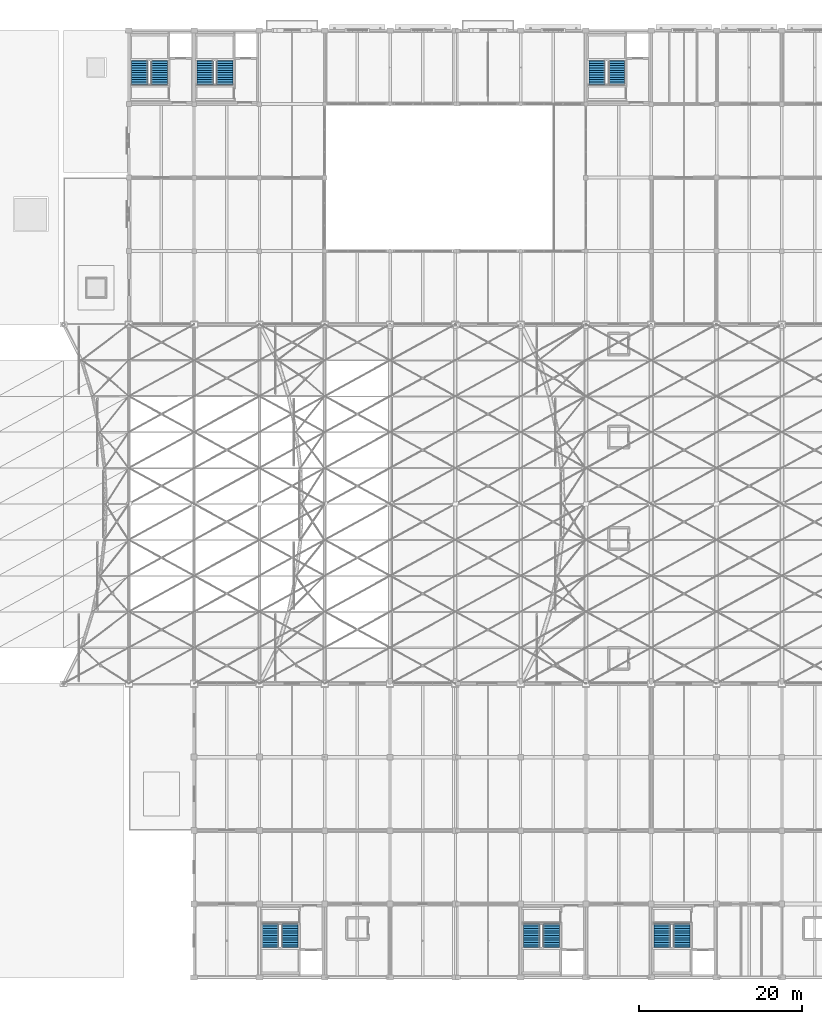
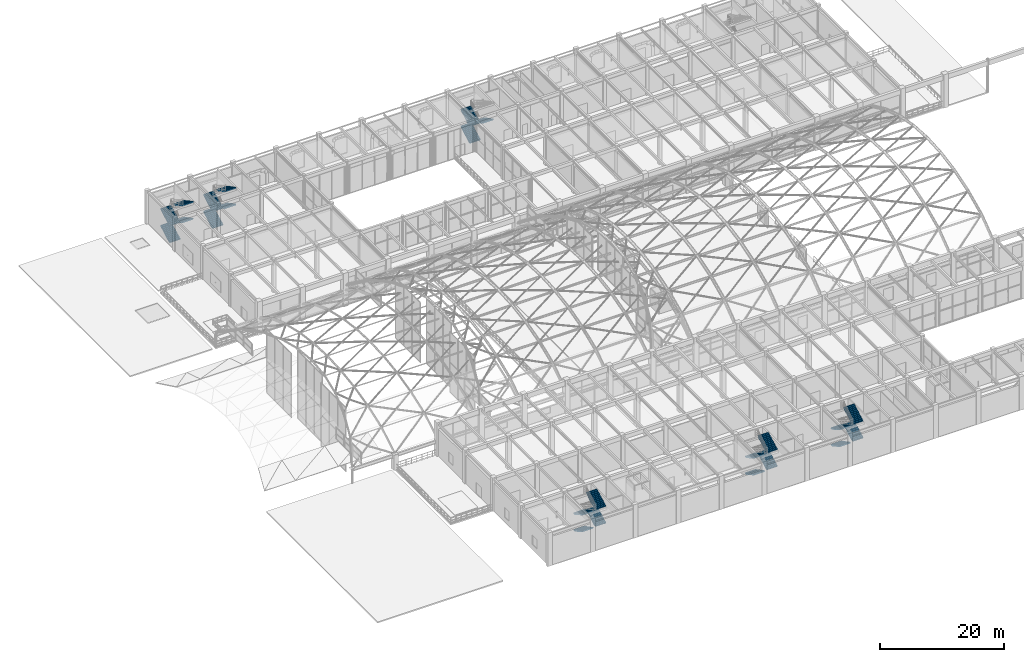
# One storey, part 136 of 163: 23 stair flights, 6 elements without a shape of their own.
"""IFC4 building model written with IfcOpenShell, lengths in metres."""

from ifc_helpers import new_model, si_unit, direction, frame, origin, place, context, subcontext, project, spatial, polyline, outline, extrude, material, type_object, element, aggregate, save


model = new_model("IFC4")

# Units and contexts
model_context = context("Model", 3, precision=1e-05, world=origin(), true_north=direction((0.0, 1.0)))
body_context = subcontext(model_context, "Body", "Model", "MODEL_VIEW")
ifc_project = project(units=[si_unit("LENGTHUNIT", "METRE"), si_unit("AREAUNIT", "SQUARE_METRE"), si_unit("VOLUMEUNIT", "CUBIC_METRE"), si_unit("PLANEANGLEUNIT", "RADIAN"), si_unit("MASSUNIT", "GRAM", prefix="KILO")], contexts=[model_context])

# Site, building, storey
site_placement = place(None, origin())
site = spatial("IfcSite", under=ifc_project, at=site_placement, CompositionType="ELEMENT")
building_placement = place(site_placement, origin())
building = spatial("IfcBuilding", under=site, at=building_placement, Name="Varnabhumi Central Station", CompositionType="ELEMENT")
storey_placement = place(building_placement, frame((0.0, 0.0, 9.60009765625)))
storey = spatial("IfcBuildingStorey", under=building, at=storey_placement, Name="L02", CompositionType="ELEMENT", Elevation=9.60009765625)

# Stair, stair flights
ifc_material = material(Name="Concrete M40", Category="concrete")
stair_type = type_object("IfcStairType", Name="STR-CORE-6600", PredefinedType="DOUBLE_RETURN_STAIR", material=ifc_material)
stair_1_placement = place(storey_placement, origin())
stair_1 = element("IfcStair", 1, at=stair_1_placement, inside=storey, type_object=stair_type, Name="Core Stair ST-N1 (L02)", PredefinedType="DOUBLE_RETURN_STAIR")
stair_flight_type = type_object("IfcStairFlightType", Name="FLT-CORE-6600", PredefinedType="STRAIGHT", material=ifc_material)
stair_flight_1_placement = place(storey_placement, frame((25.35009765625, 109.419921875, 0.0), z_axis=(0.0, 0.0, 1.0), x_axis=(0.0, 1.0, 0.0)))
stair_flight_1 = element("IfcStairFlight", 2, at=stair_flight_1_placement, type_object=stair_flight_type, Name="ST-N1 L02 Flight 1", NumberOfRisers=11, NumberOfTreads=10, PredefinedType="STRAIGHT", RiserHeight=0.15, TreadLength=0.285, context=body_context, shape_type="SweptSolid", body=[
    extrude(outline(polyline([(-0.06005859375, -0.080078125), (-0.06005859375, 0.0), (0.0, 0.0), (0.0, 0.14990234375), (0.284912109375, 0.14990234375), (0.284912109375, 0.300048828125), (0.570068359375, 0.300048828125), (0.570068359375, 0.449951171875), (0.85498046875, 0.449951171875), (0.85498046875, 0.60009765625), (1.139892578125, 0.60009765625), (1.139892578125, 0.75), (1.425048828125, 0.75), (1.425048828125, 0.89990234375), (1.7099609375, 0.89990234375), (1.7099609375, 1.050048828125), (1.9951171875, 1.050048828125), (1.9951171875, 1.199951171875), (2.280029296875, 1.199951171875), (2.280029296875, 1.35009765625), (2.56494140625, 1.35009765625), (2.56494140625, 1.5), (2.85009765625, 1.5), (2.85009765625, 1.64990234375), (2.909912109375, 1.64990234375), (2.909912109375, 1.489990234375), (2.85009765625, 1.3193359375), (0.34326171875, -0.080078125), (-0.06005859375, -0.080078125)])), frame((0.0, 1.0, 0.0), z_axis=(0.0, -1.0, 0.0), x_axis=(1.0, 0.0, 0.0)), (0.0, 0.0, 1.0), 2.0),
])
stair_flight_2_placement = place(storey_placement, frame((27.75, 112.27001953125, 1.64990234375), z_axis=(0.0, 0.0, 1.0), x_axis=(0.0, -1.0, 0.0)))
stair_flight_2 = element("IfcStairFlight", 3, at=stair_flight_2_placement, type_object=stair_flight_type, Name="ST-N1 L02 Flight 2", NumberOfRisers=11, NumberOfTreads=10, PredefinedType="STRAIGHT", RiserHeight=0.15, TreadLength=0.285, context=body_context, shape_type="SweptSolid", body=[
    extrude(outline(polyline([(-0.06005859375, -0.080078125), (-0.06005859375, 0.0), (0.0, 0.0), (0.0, 0.14990234375), (0.284912109375, 0.14990234375), (0.284912109375, 0.300048828125), (0.570068359375, 0.300048828125), (0.570068359375, 0.449951171875), (0.85498046875, 0.449951171875), (0.85498046875, 0.60009765625), (1.139892578125, 0.60009765625), (1.139892578125, 0.75), (1.425048828125, 0.75), (1.425048828125, 0.89990234375), (1.7099609375, 0.89990234375), (1.7099609375, 1.050048828125), (1.9951171875, 1.050048828125), (1.9951171875, 1.199951171875), (2.280029296875, 1.199951171875), (2.280029296875, 1.35009765625), (2.56494140625, 1.35009765625), (2.56494140625, 1.5), (2.85009765625, 1.5), (2.85009765625, 1.64990234375), (2.909912109375, 1.64990234375), (2.909912109375, 1.489990234375), (2.85009765625, 1.3193359375), (0.34326171875, -0.080078125), (-0.06005859375, -0.080078125)])), frame((0.0, 1.0, 0.0), z_axis=(0.0, -1.0, 0.0), x_axis=(1.0, 0.0, 0.0)), (0.0, 0.0, 1.0), 2.0),
])
stair_flight_3_placement = place(storey_placement, frame((25.35009765625, 109.419921875, 3.2998046875), z_axis=(0.0, 0.0, 1.0), x_axis=(0.0, 1.0, 0.0)))
stair_flight_3 = element("IfcStairFlight", 4, at=stair_flight_3_placement, type_object=stair_flight_type, Name="ST-N1 L02 Flight 3", NumberOfRisers=11, NumberOfTreads=10, PredefinedType="STRAIGHT", RiserHeight=0.15, TreadLength=0.285, context=body_context, shape_type="SweptSolid", body=[
    extrude(outline(polyline([(-0.06005859375, -0.080078125), (-0.06005859375, 0.0), (0.0, 0.0), (0.0, 0.14990234375), (0.284912109375, 0.14990234375), (0.284912109375, 0.300048828125), (0.570068359375, 0.300048828125), (0.570068359375, 0.449951171875), (0.85498046875, 0.449951171875), (0.85498046875, 0.60009765625), (1.139892578125, 0.60009765625), (1.139892578125, 0.75), (1.425048828125, 0.75), (1.425048828125, 0.89990234375), (1.7099609375, 0.89990234375), (1.7099609375, 1.050048828125), (1.9951171875, 1.050048828125), (1.9951171875, 1.199951171875), (2.280029296875, 1.199951171875), (2.280029296875, 1.35009765625), (2.56494140625, 1.35009765625), (2.56494140625, 1.5), (2.85009765625, 1.5), (2.85009765625, 1.64990234375), (2.909912109375, 1.64990234375), (2.909912109375, 1.489990234375), (2.85009765625, 1.3193359375), (0.34326171875, -0.080078125), (-0.06005859375, -0.080078125)])), frame((0.0, 1.0, 0.0), z_axis=(0.0, -1.0, 0.0), x_axis=(1.0, 0.0, 0.0)), (0.0, 0.0, 1.0), 2.0),
])
stair_flight_4_placement = place(storey_placement, frame((27.75, 112.27001953125, 4.949951171875), z_axis=(0.0, 0.0, 1.0), x_axis=(0.0, -1.0, 0.0)))
stair_flight_4 = element("IfcStairFlight", 5, at=stair_flight_4_placement, type_object=stair_flight_type, Name="ST-N1 L02 Flight 4", NumberOfRisers=11, NumberOfTreads=10, PredefinedType="STRAIGHT", RiserHeight=0.15, TreadLength=0.285, context=body_context, shape_type="SweptSolid", body=[
    extrude(outline(polyline([(-0.06005859375, -0.080078125), (-0.06005859375, 0.0), (0.0, 0.0), (0.0, 0.14990234375), (0.284912109375, 0.14990234375), (0.284912109375, 0.300048828125), (0.570068359375, 0.300048828125), (0.570068359375, 0.449951171875), (0.85498046875, 0.449951171875), (0.85498046875, 0.60009765625), (1.139892578125, 0.60009765625), (1.139892578125, 0.75), (1.425048828125, 0.75), (1.425048828125, 0.89990234375), (1.7099609375, 0.89990234375), (1.7099609375, 1.050048828125), (1.9951171875, 1.050048828125), (1.9951171875, 1.199951171875), (2.280029296875, 1.199951171875), (2.280029296875, 1.35009765625), (2.56494140625, 1.35009765625), (2.56494140625, 1.5), (2.85009765625, 1.5), (2.85009765625, 1.64990234375), (2.909912109375, 1.64990234375), (2.909912109375, 1.489990234375), (2.85009765625, 1.3193359375), (0.34326171875, -0.080078125), (-0.06005859375, -0.080078125)])), frame((0.0, 1.0, 0.0), z_axis=(0.0, -1.0, 0.0), x_axis=(1.0, 0.0, 0.0)), (0.0, 0.0, 1.0), 2.0),
])
aggregate(stair_1, [stair_flight_1, stair_flight_2, stair_flight_3, stair_flight_4])

stair_2_placement = place(storey_placement, origin())
stair_2 = element("IfcStair", 6, at=stair_2_placement, inside=storey, type_object=stair_type, Name="Core Stair ST-N2 (L02)", PredefinedType="DOUBLE_RETURN_STAIR")
stair_flight_5_placement = place(storey_placement, frame((81.35009765625, 109.419921875, 0.0), z_axis=(0.0, 0.0, 1.0), x_axis=(0.0, 1.0, 0.0)))
stair_flight_5 = element("IfcStairFlight", 7, at=stair_flight_5_placement, type_object=stair_flight_type, Name="ST-N2 L02 Flight 1", NumberOfRisers=11, NumberOfTreads=10, PredefinedType="STRAIGHT", RiserHeight=0.15, TreadLength=0.285, context=body_context, shape_type="SweptSolid", body=[
    extrude(outline(polyline([(-0.06005859375, -0.080078125), (-0.06005859375, 0.0), (0.0, 0.0), (0.0, 0.14990234375), (0.284912109375, 0.14990234375), (0.284912109375, 0.300048828125), (0.570068359375, 0.300048828125), (0.570068359375, 0.449951171875), (0.85498046875, 0.449951171875), (0.85498046875, 0.60009765625), (1.139892578125, 0.60009765625), (1.139892578125, 0.75), (1.425048828125, 0.75), (1.425048828125, 0.89990234375), (1.7099609375, 0.89990234375), (1.7099609375, 1.050048828125), (1.9951171875, 1.050048828125), (1.9951171875, 1.199951171875), (2.280029296875, 1.199951171875), (2.280029296875, 1.35009765625), (2.56494140625, 1.35009765625), (2.56494140625, 1.5), (2.85009765625, 1.5), (2.85009765625, 1.64990234375), (2.909912109375, 1.64990234375), (2.909912109375, 1.489990234375), (2.85009765625, 1.3193359375), (0.34326171875, -0.080078125), (-0.06005859375, -0.080078125)])), frame((0.0, 1.0, 0.0), z_axis=(0.0, -1.0, 0.0), x_axis=(1.0, 0.0, 0.0)), (0.0, 0.0, 1.0), 2.0),
])
stair_flight_6_placement = place(storey_placement, frame((83.75, 112.27001953125, 1.64990234375), z_axis=(0.0, 0.0, 1.0), x_axis=(0.0, -1.0, 0.0)))
stair_flight_6 = element("IfcStairFlight", 8, at=stair_flight_6_placement, type_object=stair_flight_type, Name="ST-N2 L02 Flight 2", NumberOfRisers=11, NumberOfTreads=10, PredefinedType="STRAIGHT", RiserHeight=0.15, TreadLength=0.285, context=body_context, shape_type="SweptSolid", body=[
    extrude(outline(polyline([(-0.06005859375, -0.080078125), (-0.06005859375, 0.0), (0.0, 0.0), (0.0, 0.14990234375), (0.284912109375, 0.14990234375), (0.284912109375, 0.300048828125), (0.570068359375, 0.300048828125), (0.570068359375, 0.449951171875), (0.85498046875, 0.449951171875), (0.85498046875, 0.60009765625), (1.139892578125, 0.60009765625), (1.139892578125, 0.75), (1.425048828125, 0.75), (1.425048828125, 0.89990234375), (1.7099609375, 0.89990234375), (1.7099609375, 1.050048828125), (1.9951171875, 1.050048828125), (1.9951171875, 1.199951171875), (2.280029296875, 1.199951171875), (2.280029296875, 1.35009765625), (2.56494140625, 1.35009765625), (2.56494140625, 1.5), (2.85009765625, 1.5), (2.85009765625, 1.64990234375), (2.909912109375, 1.64990234375), (2.909912109375, 1.489990234375), (2.85009765625, 1.3193359375), (0.34326171875, -0.080078125), (-0.06005859375, -0.080078125)])), frame((0.0, 1.0, 0.0), z_axis=(0.0, -1.0, 0.0), x_axis=(1.0, 0.0, 0.0)), (0.0, 0.0, 1.0), 2.0),
])
stair_flight_7_placement = place(storey_placement, frame((81.35009765625, 109.419921875, 3.2998046875), z_axis=(0.0, 0.0, 1.0), x_axis=(0.0, 1.0, 0.0)))
stair_flight_7 = element("IfcStairFlight", 9, at=stair_flight_7_placement, type_object=stair_flight_type, Name="ST-N2 L02 Flight 3", NumberOfRisers=11, NumberOfTreads=10, PredefinedType="STRAIGHT", RiserHeight=0.15, TreadLength=0.285, context=body_context, shape_type="SweptSolid", body=[
    extrude(outline(polyline([(-0.06005859375, -0.080078125), (-0.06005859375, 0.0), (0.0, 0.0), (0.0, 0.14990234375), (0.284912109375, 0.14990234375), (0.284912109375, 0.300048828125), (0.570068359375, 0.300048828125), (0.570068359375, 0.449951171875), (0.85498046875, 0.449951171875), (0.85498046875, 0.60009765625), (1.139892578125, 0.60009765625), (1.139892578125, 0.75), (1.425048828125, 0.75), (1.425048828125, 0.89990234375), (1.7099609375, 0.89990234375), (1.7099609375, 1.050048828125), (1.9951171875, 1.050048828125), (1.9951171875, 1.199951171875), (2.280029296875, 1.199951171875), (2.280029296875, 1.35009765625), (2.56494140625, 1.35009765625), (2.56494140625, 1.5), (2.85009765625, 1.5), (2.85009765625, 1.64990234375), (2.909912109375, 1.64990234375), (2.909912109375, 1.489990234375), (2.85009765625, 1.3193359375), (0.34326171875, -0.080078125), (-0.06005859375, -0.080078125)])), frame((0.0, 1.0, 0.0), z_axis=(0.0, -1.0, 0.0), x_axis=(1.0, 0.0, 0.0)), (0.0, 0.0, 1.0), 2.0),
])
aggregate(stair_2, [stair_flight_5, stair_flight_6, stair_flight_7])

stair_3_placement = place(storey_placement, origin())
stair_3 = element("IfcStair", 10, at=stair_3_placement, inside=storey, type_object=stair_type, Name="Core Stair ST-S1 (L02)", PredefinedType="DOUBLE_RETURN_STAIR")
stair_flight_8_placement = place(storey_placement, frame((41.35009765625, 6.580078125, 0.0), z_axis=(0.0, 0.0, 1.0), x_axis=(0.0, -1.0, 0.0)))
stair_flight_8 = element("IfcStairFlight", 11, at=stair_flight_8_placement, type_object=stair_flight_type, Name="ST-S1 L02 Flight 1", NumberOfRisers=11, NumberOfTreads=10, PredefinedType="STRAIGHT", RiserHeight=0.15, TreadLength=0.285, context=body_context, shape_type="SweptSolid", body=[
    extrude(outline(polyline([(-0.06005859375, -0.080078125), (-0.06005859375, 0.0), (0.0, 0.0), (0.0, 0.14990234375), (0.284912109375, 0.14990234375), (0.284912109375, 0.300048828125), (0.570068359375, 0.300048828125), (0.570068359375, 0.449951171875), (0.85498046875, 0.449951171875), (0.85498046875, 0.60009765625), (1.139892578125, 0.60009765625), (1.139892578125, 0.75), (1.425048828125, 0.75), (1.425048828125, 0.89990234375), (1.7099609375, 0.89990234375), (1.7099609375, 1.050048828125), (1.9951171875, 1.050048828125), (1.9951171875, 1.199951171875), (2.280029296875, 1.199951171875), (2.280029296875, 1.35009765625), (2.56494140625, 1.35009765625), (2.56494140625, 1.5), (2.85009765625, 1.5), (2.85009765625, 1.64990234375), (2.909912109375, 1.64990234375), (2.909912109375, 1.489990234375), (2.85009765625, 1.3193359375), (0.34326171875, -0.080078125), (-0.06005859375, -0.080078125)])), frame((0.0, 1.0, 0.0), z_axis=(0.0, -1.0, 0.0), x_axis=(1.0, 0.0, 0.0)), (0.0, 0.0, 1.0), 2.0),
])
stair_flight_9_placement = place(storey_placement, frame((43.75, 3.72998046875, 1.64990234375), z_axis=(0.0, 0.0, 1.0), x_axis=(0.0, 1.0, 0.0)))
stair_flight_9 = element("IfcStairFlight", 12, at=stair_flight_9_placement, type_object=stair_flight_type, Name="ST-S1 L02 Flight 2", NumberOfRisers=11, NumberOfTreads=10, PredefinedType="STRAIGHT", RiserHeight=0.15, TreadLength=0.285, context=body_context, shape_type="SweptSolid", body=[
    extrude(outline(polyline([(-0.06005859375, -0.080078125), (-0.06005859375, 0.0), (0.0, 0.0), (0.0, 0.14990234375), (0.284912109375, 0.14990234375), (0.284912109375, 0.300048828125), (0.570068359375, 0.300048828125), (0.570068359375, 0.449951171875), (0.85498046875, 0.449951171875), (0.85498046875, 0.60009765625), (1.139892578125, 0.60009765625), (1.139892578125, 0.75), (1.425048828125, 0.75), (1.425048828125, 0.89990234375), (1.7099609375, 0.89990234375), (1.7099609375, 1.050048828125), (1.9951171875, 1.050048828125), (1.9951171875, 1.199951171875), (2.280029296875, 1.199951171875), (2.280029296875, 1.35009765625), (2.56494140625, 1.35009765625), (2.56494140625, 1.5), (2.85009765625, 1.5), (2.85009765625, 1.64990234375), (2.909912109375, 1.64990234375), (2.909912109375, 1.489990234375), (2.85009765625, 1.3193359375), (0.34326171875, -0.080078125), (-0.06005859375, -0.080078125)])), frame((0.0, 1.0, 0.0), z_axis=(0.0, -1.0, 0.0), x_axis=(1.0, 0.0, 0.0)), (0.0, 0.0, 1.0), 2.0),
])
stair_flight_10_placement = place(storey_placement, frame((41.35009765625, 6.580078125, 3.2998046875), z_axis=(0.0, 0.0, 1.0), x_axis=(0.0, -1.0, 0.0)))
stair_flight_10 = element("IfcStairFlight", 13, at=stair_flight_10_placement, type_object=stair_flight_type, Name="ST-S1 L02 Flight 3", NumberOfRisers=11, NumberOfTreads=10, PredefinedType="STRAIGHT", RiserHeight=0.15, TreadLength=0.285, context=body_context, shape_type="SweptSolid", body=[
    extrude(outline(polyline([(-0.06005859375, -0.080078125), (-0.06005859375, 0.0), (0.0, 0.0), (0.0, 0.14990234375), (0.284912109375, 0.14990234375), (0.284912109375, 0.300048828125), (0.570068359375, 0.300048828125), (0.570068359375, 0.449951171875), (0.85498046875, 0.449951171875), (0.85498046875, 0.60009765625), (1.139892578125, 0.60009765625), (1.139892578125, 0.75), (1.425048828125, 0.75), (1.425048828125, 0.89990234375), (1.7099609375, 0.89990234375), (1.7099609375, 1.050048828125), (1.9951171875, 1.050048828125), (1.9951171875, 1.199951171875), (2.280029296875, 1.199951171875), (2.280029296875, 1.35009765625), (2.56494140625, 1.35009765625), (2.56494140625, 1.5), (2.85009765625, 1.5), (2.85009765625, 1.64990234375), (2.909912109375, 1.64990234375), (2.909912109375, 1.489990234375), (2.85009765625, 1.3193359375), (0.34326171875, -0.080078125), (-0.06005859375, -0.080078125)])), frame((0.0, 1.0, 0.0), z_axis=(0.0, -1.0, 0.0), x_axis=(1.0, 0.0, 0.0)), (0.0, 0.0, 1.0), 2.0),
])
stair_flight_11_placement = place(storey_placement, frame((43.75, 3.72998046875, 4.949951171875), z_axis=(0.0, 0.0, 1.0), x_axis=(0.0, 1.0, 0.0)))
stair_flight_11 = element("IfcStairFlight", 14, at=stair_flight_11_placement, type_object=stair_flight_type, Name="ST-S1 L02 Flight 4", NumberOfRisers=11, NumberOfTreads=10, PredefinedType="STRAIGHT", RiserHeight=0.15, TreadLength=0.285, context=body_context, shape_type="SweptSolid", body=[
    extrude(outline(polyline([(-0.06005859375, -0.080078125), (-0.06005859375, 0.0), (0.0, 0.0), (0.0, 0.14990234375), (0.284912109375, 0.14990234375), (0.284912109375, 0.300048828125), (0.570068359375, 0.300048828125), (0.570068359375, 0.449951171875), (0.85498046875, 0.449951171875), (0.85498046875, 0.60009765625), (1.139892578125, 0.60009765625), (1.139892578125, 0.75), (1.425048828125, 0.75), (1.425048828125, 0.89990234375), (1.7099609375, 0.89990234375), (1.7099609375, 1.050048828125), (1.9951171875, 1.050048828125), (1.9951171875, 1.199951171875), (2.280029296875, 1.199951171875), (2.280029296875, 1.35009765625), (2.56494140625, 1.35009765625), (2.56494140625, 1.5), (2.85009765625, 1.5), (2.85009765625, 1.64990234375), (2.909912109375, 1.64990234375), (2.909912109375, 1.489990234375), (2.85009765625, 1.3193359375), (0.34326171875, -0.080078125), (-0.06005859375, -0.080078125)])), frame((0.0, 1.0, 0.0), z_axis=(0.0, -1.0, 0.0), x_axis=(1.0, 0.0, 0.0)), (0.0, 0.0, 1.0), 2.0),
])
aggregate(stair_3, [stair_flight_8, stair_flight_9, stair_flight_10, stair_flight_11])

stair_4_placement = place(storey_placement, origin())
stair_4 = element("IfcStair", 15, at=stair_4_placement, inside=storey, type_object=stair_type, Name="Core Stair ST-S2 (L02)", PredefinedType="DOUBLE_RETURN_STAIR")
stair_flight_12_placement = place(storey_placement, frame((89.35009765625, 6.580078125, 0.0), z_axis=(0.0, 0.0, 1.0), x_axis=(0.0, -1.0, 0.0)))
stair_flight_12 = element("IfcStairFlight", 16, at=stair_flight_12_placement, type_object=stair_flight_type, Name="ST-S2 L02 Flight 1", NumberOfRisers=11, NumberOfTreads=10, PredefinedType="STRAIGHT", RiserHeight=0.15, TreadLength=0.285, context=body_context, shape_type="SweptSolid", body=[
    extrude(outline(polyline([(-0.06005859375, -0.080078125), (-0.06005859375, 0.0), (0.0, 0.0), (0.0, 0.14990234375), (0.284912109375, 0.14990234375), (0.284912109375, 0.300048828125), (0.570068359375, 0.300048828125), (0.570068359375, 0.449951171875), (0.85498046875, 0.449951171875), (0.85498046875, 0.60009765625), (1.139892578125, 0.60009765625), (1.139892578125, 0.75), (1.425048828125, 0.75), (1.425048828125, 0.89990234375), (1.7099609375, 0.89990234375), (1.7099609375, 1.050048828125), (1.9951171875, 1.050048828125), (1.9951171875, 1.199951171875), (2.280029296875, 1.199951171875), (2.280029296875, 1.35009765625), (2.56494140625, 1.35009765625), (2.56494140625, 1.5), (2.85009765625, 1.5), (2.85009765625, 1.64990234375), (2.909912109375, 1.64990234375), (2.909912109375, 1.489990234375), (2.85009765625, 1.3193359375), (0.34326171875, -0.080078125), (-0.06005859375, -0.080078125)])), frame((0.0, 1.0, 0.0), z_axis=(0.0, -1.0, 0.0), x_axis=(1.0, 0.0, 0.0)), (0.0, 0.0, 1.0), 2.0),
])
stair_flight_13_placement = place(storey_placement, frame((91.75, 3.72998046875, 1.64990234375), z_axis=(0.0, 0.0, 1.0), x_axis=(0.0, 1.0, 0.0)))
stair_flight_13 = element("IfcStairFlight", 17, at=stair_flight_13_placement, type_object=stair_flight_type, Name="ST-S2 L02 Flight 2", NumberOfRisers=11, NumberOfTreads=10, PredefinedType="STRAIGHT", RiserHeight=0.15, TreadLength=0.285, context=body_context, shape_type="SweptSolid", body=[
    extrude(outline(polyline([(-0.06005859375, -0.080078125), (-0.06005859375, 0.0), (0.0, 0.0), (0.0, 0.14990234375), (0.284912109375, 0.14990234375), (0.284912109375, 0.300048828125), (0.570068359375, 0.300048828125), (0.570068359375, 0.449951171875), (0.85498046875, 0.449951171875), (0.85498046875, 0.60009765625), (1.139892578125, 0.60009765625), (1.139892578125, 0.75), (1.425048828125, 0.75), (1.425048828125, 0.89990234375), (1.7099609375, 0.89990234375), (1.7099609375, 1.050048828125), (1.9951171875, 1.050048828125), (1.9951171875, 1.199951171875), (2.280029296875, 1.199951171875), (2.280029296875, 1.35009765625), (2.56494140625, 1.35009765625), (2.56494140625, 1.5), (2.85009765625, 1.5), (2.85009765625, 1.64990234375), (2.909912109375, 1.64990234375), (2.909912109375, 1.489990234375), (2.85009765625, 1.3193359375), (0.34326171875, -0.080078125), (-0.06005859375, -0.080078125)])), frame((0.0, 1.0, 0.0), z_axis=(0.0, -1.0, 0.0), x_axis=(1.0, 0.0, 0.0)), (0.0, 0.0, 1.0), 2.0),
])
stair_flight_14_placement = place(storey_placement, frame((89.35009765625, 6.580078125, 3.2998046875), z_axis=(0.0, 0.0, 1.0), x_axis=(0.0, -1.0, 0.0)))
stair_flight_14 = element("IfcStairFlight", 18, at=stair_flight_14_placement, type_object=stair_flight_type, Name="ST-S2 L02 Flight 3", NumberOfRisers=11, NumberOfTreads=10, PredefinedType="STRAIGHT", RiserHeight=0.15, TreadLength=0.285, context=body_context, shape_type="SweptSolid", body=[
    extrude(outline(polyline([(-0.06005859375, -0.080078125), (-0.06005859375, 0.0), (0.0, 0.0), (0.0, 0.14990234375), (0.284912109375, 0.14990234375), (0.284912109375, 0.300048828125), (0.570068359375, 0.300048828125), (0.570068359375, 0.449951171875), (0.85498046875, 0.449951171875), (0.85498046875, 0.60009765625), (1.139892578125, 0.60009765625), (1.139892578125, 0.75), (1.425048828125, 0.75), (1.425048828125, 0.89990234375), (1.7099609375, 0.89990234375), (1.7099609375, 1.050048828125), (1.9951171875, 1.050048828125), (1.9951171875, 1.199951171875), (2.280029296875, 1.199951171875), (2.280029296875, 1.35009765625), (2.56494140625, 1.35009765625), (2.56494140625, 1.5), (2.85009765625, 1.5), (2.85009765625, 1.64990234375), (2.909912109375, 1.64990234375), (2.909912109375, 1.489990234375), (2.85009765625, 1.3193359375), (0.34326171875, -0.080078125), (-0.06005859375, -0.080078125)])), frame((0.0, 1.0, 0.0), z_axis=(0.0, -1.0, 0.0), x_axis=(1.0, 0.0, 0.0)), (0.0, 0.0, 1.0), 2.0),
])
stair_flight_15_placement = place(storey_placement, frame((91.75, 3.72998046875, 4.949951171875), z_axis=(0.0, 0.0, 1.0), x_axis=(0.0, 1.0, 0.0)))
stair_flight_15 = element("IfcStairFlight", 19, at=stair_flight_15_placement, type_object=stair_flight_type, Name="ST-S2 L02 Flight 4", NumberOfRisers=11, NumberOfTreads=10, PredefinedType="STRAIGHT", RiserHeight=0.15, TreadLength=0.285, context=body_context, shape_type="SweptSolid", body=[
    extrude(outline(polyline([(-0.06005859375, -0.080078125), (-0.06005859375, 0.0), (0.0, 0.0), (0.0, 0.14990234375), (0.284912109375, 0.14990234375), (0.284912109375, 0.300048828125), (0.570068359375, 0.300048828125), (0.570068359375, 0.449951171875), (0.85498046875, 0.449951171875), (0.85498046875, 0.60009765625), (1.139892578125, 0.60009765625), (1.139892578125, 0.75), (1.425048828125, 0.75), (1.425048828125, 0.89990234375), (1.7099609375, 0.89990234375), (1.7099609375, 1.050048828125), (1.9951171875, 1.050048828125), (1.9951171875, 1.199951171875), (2.280029296875, 1.199951171875), (2.280029296875, 1.35009765625), (2.56494140625, 1.35009765625), (2.56494140625, 1.5), (2.85009765625, 1.5), (2.85009765625, 1.64990234375), (2.909912109375, 1.64990234375), (2.909912109375, 1.489990234375), (2.85009765625, 1.3193359375), (0.34326171875, -0.080078125), (-0.06005859375, -0.080078125)])), frame((0.0, 1.0, 0.0), z_axis=(0.0, -1.0, 0.0), x_axis=(1.0, 0.0, 0.0)), (0.0, 0.0, 1.0), 2.0),
])
aggregate(stair_4, [stair_flight_12, stair_flight_13, stair_flight_14, stair_flight_15])

stair_5_placement = place(storey_placement, origin())
stair_5 = element("IfcStair", 20, at=stair_5_placement, inside=storey, type_object=stair_type, Name="Core Stair ST-N4 (L02)", PredefinedType="DOUBLE_RETURN_STAIR")
stair_flight_16_placement = place(storey_placement, frame((33.35009765625, 109.419921875, 0.0), z_axis=(0.0, 0.0, 1.0), x_axis=(0.0, 1.0, 0.0)))
stair_flight_16 = element("IfcStairFlight", 21, at=stair_flight_16_placement, type_object=stair_flight_type, Name="ST-N4 L02 Flight 1", NumberOfRisers=11, NumberOfTreads=10, PredefinedType="STRAIGHT", RiserHeight=0.15, TreadLength=0.285, context=body_context, shape_type="SweptSolid", body=[
    extrude(outline(polyline([(-0.06005859375, -0.080078125), (-0.06005859375, 0.0), (0.0, 0.0), (0.0, 0.14990234375), (0.284912109375, 0.14990234375), (0.284912109375, 0.300048828125), (0.570068359375, 0.300048828125), (0.570068359375, 0.449951171875), (0.85498046875, 0.449951171875), (0.85498046875, 0.60009765625), (1.139892578125, 0.60009765625), (1.139892578125, 0.75), (1.425048828125, 0.75), (1.425048828125, 0.89990234375), (1.7099609375, 0.89990234375), (1.7099609375, 1.050048828125), (1.9951171875, 1.050048828125), (1.9951171875, 1.199951171875), (2.280029296875, 1.199951171875), (2.280029296875, 1.35009765625), (2.56494140625, 1.35009765625), (2.56494140625, 1.5), (2.85009765625, 1.5), (2.85009765625, 1.64990234375), (2.909912109375, 1.64990234375), (2.909912109375, 1.489990234375), (2.85009765625, 1.3193359375), (0.34326171875, -0.080078125), (-0.06005859375, -0.080078125)])), frame((0.0, 1.0, 0.0), z_axis=(0.0, -1.0, 0.0), x_axis=(1.0, 0.0, 0.0)), (0.0, 0.0, 1.0), 2.0),
])
stair_flight_17_placement = place(storey_placement, frame((35.75, 112.27001953125, 1.64990234375), z_axis=(0.0, 0.0, 1.0), x_axis=(0.0, -1.0, 0.0)))
stair_flight_17 = element("IfcStairFlight", 22, at=stair_flight_17_placement, type_object=stair_flight_type, Name="ST-N4 L02 Flight 2", NumberOfRisers=11, NumberOfTreads=10, PredefinedType="STRAIGHT", RiserHeight=0.15, TreadLength=0.285, context=body_context, shape_type="SweptSolid", body=[
    extrude(outline(polyline([(-0.06005859375, -0.080078125), (-0.06005859375, 0.0), (0.0, 0.0), (0.0, 0.14990234375), (0.284912109375, 0.14990234375), (0.284912109375, 0.300048828125), (0.570068359375, 0.300048828125), (0.570068359375, 0.449951171875), (0.85498046875, 0.449951171875), (0.85498046875, 0.60009765625), (1.139892578125, 0.60009765625), (1.139892578125, 0.75), (1.425048828125, 0.75), (1.425048828125, 0.89990234375), (1.7099609375, 0.89990234375), (1.7099609375, 1.050048828125), (1.9951171875, 1.050048828125), (1.9951171875, 1.199951171875), (2.280029296875, 1.199951171875), (2.280029296875, 1.35009765625), (2.56494140625, 1.35009765625), (2.56494140625, 1.5), (2.85009765625, 1.5), (2.85009765625, 1.64990234375), (2.909912109375, 1.64990234375), (2.909912109375, 1.489990234375), (2.85009765625, 1.3193359375), (0.34326171875, -0.080078125), (-0.06005859375, -0.080078125)])), frame((0.0, 1.0, 0.0), z_axis=(0.0, -1.0, 0.0), x_axis=(1.0, 0.0, 0.0)), (0.0, 0.0, 1.0), 2.0),
])
stair_flight_18_placement = place(storey_placement, frame((33.35009765625, 109.419921875, 3.2998046875), z_axis=(0.0, 0.0, 1.0), x_axis=(0.0, 1.0, 0.0)))
stair_flight_18 = element("IfcStairFlight", 23, at=stair_flight_18_placement, type_object=stair_flight_type, Name="ST-N4 L02 Flight 3", NumberOfRisers=11, NumberOfTreads=10, PredefinedType="STRAIGHT", RiserHeight=0.15, TreadLength=0.285, context=body_context, shape_type="SweptSolid", body=[
    extrude(outline(polyline([(-0.06005859375, -0.080078125), (-0.06005859375, 0.0), (0.0, 0.0), (0.0, 0.14990234375), (0.284912109375, 0.14990234375), (0.284912109375, 0.300048828125), (0.570068359375, 0.300048828125), (0.570068359375, 0.449951171875), (0.85498046875, 0.449951171875), (0.85498046875, 0.60009765625), (1.139892578125, 0.60009765625), (1.139892578125, 0.75), (1.425048828125, 0.75), (1.425048828125, 0.89990234375), (1.7099609375, 0.89990234375), (1.7099609375, 1.050048828125), (1.9951171875, 1.050048828125), (1.9951171875, 1.199951171875), (2.280029296875, 1.199951171875), (2.280029296875, 1.35009765625), (2.56494140625, 1.35009765625), (2.56494140625, 1.5), (2.85009765625, 1.5), (2.85009765625, 1.64990234375), (2.909912109375, 1.64990234375), (2.909912109375, 1.489990234375), (2.85009765625, 1.3193359375), (0.34326171875, -0.080078125), (-0.06005859375, -0.080078125)])), frame((0.0, 1.0, 0.0), z_axis=(0.0, -1.0, 0.0), x_axis=(1.0, 0.0, 0.0)), (0.0, 0.0, 1.0), 2.0),
])
stair_flight_19_placement = place(storey_placement, frame((35.75, 112.27001953125, 4.949951171875), z_axis=(0.0, 0.0, 1.0), x_axis=(0.0, -1.0, 0.0)))
stair_flight_19 = element("IfcStairFlight", 24, at=stair_flight_19_placement, type_object=stair_flight_type, Name="ST-N4 L02 Flight 4", NumberOfRisers=11, NumberOfTreads=10, PredefinedType="STRAIGHT", RiserHeight=0.15, TreadLength=0.285, context=body_context, shape_type="SweptSolid", body=[
    extrude(outline(polyline([(-0.06005859375, -0.080078125), (-0.06005859375, 0.0), (0.0, 0.0), (0.0, 0.14990234375), (0.284912109375, 0.14990234375), (0.284912109375, 0.300048828125), (0.570068359375, 0.300048828125), (0.570068359375, 0.449951171875), (0.85498046875, 0.449951171875), (0.85498046875, 0.60009765625), (1.139892578125, 0.60009765625), (1.139892578125, 0.75), (1.425048828125, 0.75), (1.425048828125, 0.89990234375), (1.7099609375, 0.89990234375), (1.7099609375, 1.050048828125), (1.9951171875, 1.050048828125), (1.9951171875, 1.199951171875), (2.280029296875, 1.199951171875), (2.280029296875, 1.35009765625), (2.56494140625, 1.35009765625), (2.56494140625, 1.5), (2.85009765625, 1.5), (2.85009765625, 1.64990234375), (2.909912109375, 1.64990234375), (2.909912109375, 1.489990234375), (2.85009765625, 1.3193359375), (0.34326171875, -0.080078125), (-0.06005859375, -0.080078125)])), frame((0.0, 1.0, 0.0), z_axis=(0.0, -1.0, 0.0), x_axis=(1.0, 0.0, 0.0)), (0.0, 0.0, 1.0), 2.0),
])
aggregate(stair_5, [stair_flight_16, stair_flight_17, stair_flight_18, stair_flight_19])

stair_6_placement = place(storey_placement, origin())
stair_6 = element("IfcStair", 25, at=stair_6_placement, inside=storey, type_object=stair_type, Name="Core Stair ST-S4 (L02)", PredefinedType="DOUBLE_RETURN_STAIR")
stair_flight_20_placement = place(storey_placement, frame((73.35009765625, 6.580078125, 0.0), z_axis=(0.0, 0.0, 1.0), x_axis=(0.0, -1.0, 0.0)))
stair_flight_20 = element("IfcStairFlight", 26, at=stair_flight_20_placement, type_object=stair_flight_type, Name="ST-S4 L02 Flight 1", NumberOfRisers=11, NumberOfTreads=10, PredefinedType="STRAIGHT", RiserHeight=0.15, TreadLength=0.285, context=body_context, shape_type="SweptSolid", body=[
    extrude(outline(polyline([(-0.06005859375, -0.080078125), (-0.06005859375, 0.0), (0.0, 0.0), (0.0, 0.14990234375), (0.284912109375, 0.14990234375), (0.284912109375, 0.300048828125), (0.570068359375, 0.300048828125), (0.570068359375, 0.449951171875), (0.85498046875, 0.449951171875), (0.85498046875, 0.60009765625), (1.139892578125, 0.60009765625), (1.139892578125, 0.75), (1.425048828125, 0.75), (1.425048828125, 0.89990234375), (1.7099609375, 0.89990234375), (1.7099609375, 1.050048828125), (1.9951171875, 1.050048828125), (1.9951171875, 1.199951171875), (2.280029296875, 1.199951171875), (2.280029296875, 1.35009765625), (2.56494140625, 1.35009765625), (2.56494140625, 1.5), (2.85009765625, 1.5), (2.85009765625, 1.64990234375), (2.909912109375, 1.64990234375), (2.909912109375, 1.489990234375), (2.85009765625, 1.3193359375), (0.34326171875, -0.080078125), (-0.06005859375, -0.080078125)])), frame((0.0, 1.0, 0.0), z_axis=(0.0, -1.0, 0.0), x_axis=(1.0, 0.0, 0.0)), (0.0, 0.0, 1.0), 2.0),
])
stair_flight_21_placement = place(storey_placement, frame((75.75, 3.72998046875, 1.64990234375), z_axis=(0.0, 0.0, 1.0), x_axis=(0.0, 1.0, 0.0)))
stair_flight_21 = element("IfcStairFlight", 27, at=stair_flight_21_placement, type_object=stair_flight_type, Name="ST-S4 L02 Flight 2", NumberOfRisers=11, NumberOfTreads=10, PredefinedType="STRAIGHT", RiserHeight=0.15, TreadLength=0.285, context=body_context, shape_type="SweptSolid", body=[
    extrude(outline(polyline([(-0.06005859375, -0.080078125), (-0.06005859375, 0.0), (0.0, 0.0), (0.0, 0.14990234375), (0.284912109375, 0.14990234375), (0.284912109375, 0.300048828125), (0.570068359375, 0.300048828125), (0.570068359375, 0.449951171875), (0.85498046875, 0.449951171875), (0.85498046875, 0.60009765625), (1.139892578125, 0.60009765625), (1.139892578125, 0.75), (1.425048828125, 0.75), (1.425048828125, 0.89990234375), (1.7099609375, 0.89990234375), (1.7099609375, 1.050048828125), (1.9951171875, 1.050048828125), (1.9951171875, 1.199951171875), (2.280029296875, 1.199951171875), (2.280029296875, 1.35009765625), (2.56494140625, 1.35009765625), (2.56494140625, 1.5), (2.85009765625, 1.5), (2.85009765625, 1.64990234375), (2.909912109375, 1.64990234375), (2.909912109375, 1.489990234375), (2.85009765625, 1.3193359375), (0.34326171875, -0.080078125), (-0.06005859375, -0.080078125)])), frame((0.0, 1.0, 0.0), z_axis=(0.0, -1.0, 0.0), x_axis=(1.0, 0.0, 0.0)), (0.0, 0.0, 1.0), 2.0),
])
stair_flight_22_placement = place(storey_placement, frame((73.35009765625, 6.580078125, 3.2998046875), z_axis=(0.0, 0.0, 1.0), x_axis=(0.0, -1.0, 0.0)))
stair_flight_22 = element("IfcStairFlight", 28, at=stair_flight_22_placement, type_object=stair_flight_type, Name="ST-S4 L02 Flight 3", NumberOfRisers=11, NumberOfTreads=10, PredefinedType="STRAIGHT", RiserHeight=0.15, TreadLength=0.285, context=body_context, shape_type="SweptSolid", body=[
    extrude(outline(polyline([(-0.06005859375, -0.080078125), (-0.06005859375, 0.0), (0.0, 0.0), (0.0, 0.14990234375), (0.284912109375, 0.14990234375), (0.284912109375, 0.300048828125), (0.570068359375, 0.300048828125), (0.570068359375, 0.449951171875), (0.85498046875, 0.449951171875), (0.85498046875, 0.60009765625), (1.139892578125, 0.60009765625), (1.139892578125, 0.75), (1.425048828125, 0.75), (1.425048828125, 0.89990234375), (1.7099609375, 0.89990234375), (1.7099609375, 1.050048828125), (1.9951171875, 1.050048828125), (1.9951171875, 1.199951171875), (2.280029296875, 1.199951171875), (2.280029296875, 1.35009765625), (2.56494140625, 1.35009765625), (2.56494140625, 1.5), (2.85009765625, 1.5), (2.85009765625, 1.64990234375), (2.909912109375, 1.64990234375), (2.909912109375, 1.489990234375), (2.85009765625, 1.3193359375), (0.34326171875, -0.080078125), (-0.06005859375, -0.080078125)])), frame((0.0, 1.0, 0.0), z_axis=(0.0, -1.0, 0.0), x_axis=(1.0, 0.0, 0.0)), (0.0, 0.0, 1.0), 2.0),
])
stair_flight_23_placement = place(storey_placement, frame((75.75, 3.72998046875, 4.949951171875), z_axis=(0.0, 0.0, 1.0), x_axis=(0.0, 1.0, 0.0)))
stair_flight_23 = element("IfcStairFlight", 29, at=stair_flight_23_placement, type_object=stair_flight_type, Name="ST-S4 L02 Flight 4", NumberOfRisers=11, NumberOfTreads=10, PredefinedType="STRAIGHT", RiserHeight=0.15, TreadLength=0.285, context=body_context, shape_type="SweptSolid", body=[
    extrude(outline(polyline([(-0.06005859375, -0.080078125), (-0.06005859375, 0.0), (0.0, 0.0), (0.0, 0.14990234375), (0.284912109375, 0.14990234375), (0.284912109375, 0.300048828125), (0.570068359375, 0.300048828125), (0.570068359375, 0.449951171875), (0.85498046875, 0.449951171875), (0.85498046875, 0.60009765625), (1.139892578125, 0.60009765625), (1.139892578125, 0.75), (1.425048828125, 0.75), (1.425048828125, 0.89990234375), (1.7099609375, 0.89990234375), (1.7099609375, 1.050048828125), (1.9951171875, 1.050048828125), (1.9951171875, 1.199951171875), (2.280029296875, 1.199951171875), (2.280029296875, 1.35009765625), (2.56494140625, 1.35009765625), (2.56494140625, 1.5), (2.85009765625, 1.5), (2.85009765625, 1.64990234375), (2.909912109375, 1.64990234375), (2.909912109375, 1.489990234375), (2.85009765625, 1.3193359375), (0.34326171875, -0.080078125), (-0.06005859375, -0.080078125)])), frame((0.0, 1.0, 0.0), z_axis=(0.0, -1.0, 0.0), x_axis=(1.0, 0.0, 0.0)), (0.0, 0.0, 1.0), 2.0),
])
aggregate(stair_6, [stair_flight_20, stair_flight_21, stair_flight_22, stair_flight_23])

save(model, "model.ifc")
